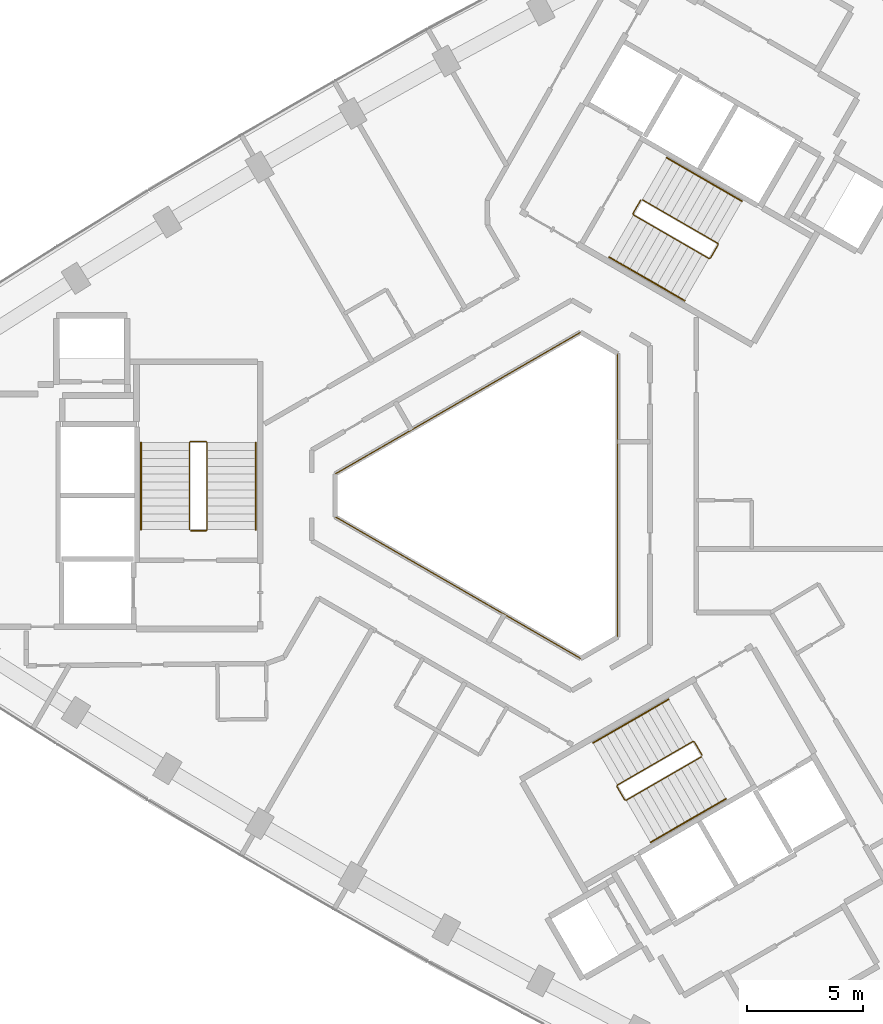
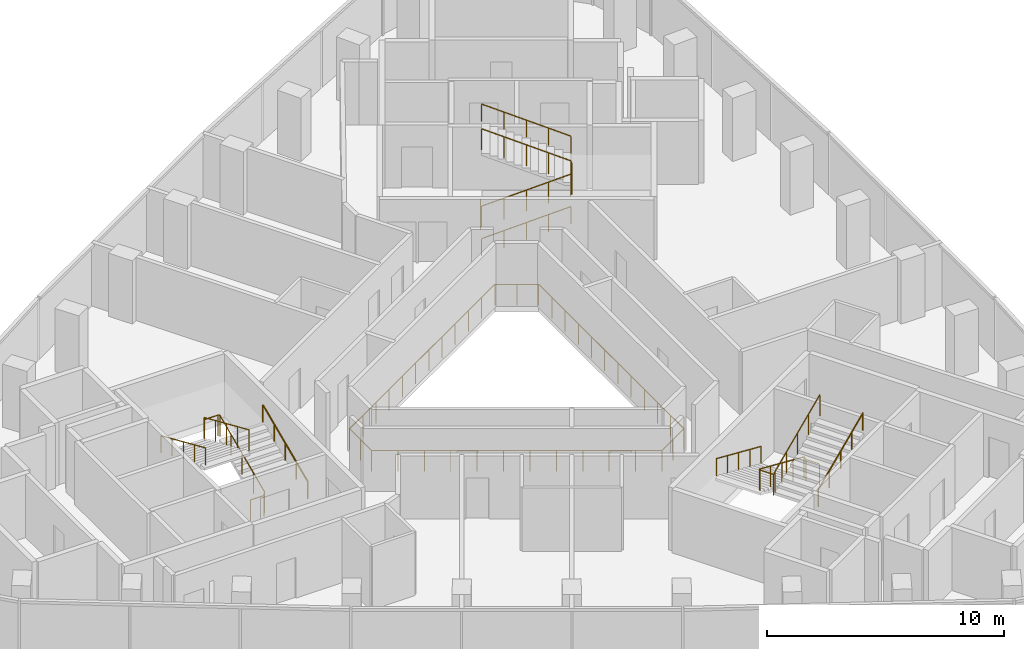
# One storey, part 12 of 12: 10 railings.
"""IFC4 building model written with IfcOpenShell, lengths in metres."""

import ifcopenshell
import ifcopenshell.guid

model = None  # the IFC model being written
_history = None  # IfcOwnerHistory: only IFC2X3 demands one
_inside = {}  # id of a spatial element -> (the spatial element, [elements in it])
_under = {}  # id of a project, library or spatial element -> (it, [spatial elements below it])
_declared = {}  # id of a project -> (the project, [libraries it declares])
_typed = {}  # id of a type object -> (the type object, [elements of that type])
_made_of = {}  # id of a material, layer set ... -> (it, [elements and type objects made of it])


def new_model(schema):
    """Start an empty IFC model of exactly this schema.

    Asked for "IFC4X3", IfcOpenShell would pick the latest addendum, in which some entities
    have other attributes; the version numbers below select the first issue.
    IFC2X3 requires an IfcOwnerHistory on every rooted entity: one is made here for all.
    """
    global model, _history
    if schema == "IFC4X3":
        model = ifcopenshell.file(schema_version=(4, 3, 0, 0))
    else:
        model = ifcopenshell.file(schema=schema)
    _inside.clear()
    _under.clear()
    _declared.clear()
    _typed.clear()
    _made_of.clear()
    _history = None
    if model.schema == "IFC2X3":
        org = make("IfcOrganization", Name="unknown")
        user = make(
            "IfcPersonAndOrganization",
            ThePerson=make("IfcPerson", FamilyName="unknown"),
            TheOrganization=org,
        )
        app = make(
            "IfcApplication",
            ApplicationDeveloper=org,
            Version="unknown",
            ApplicationFullName="unknown",
            ApplicationIdentifier="unknown",
        )
        _history = make(
            "IfcOwnerHistory",
            OwningUser=user,
            OwningApplication=app,
            ChangeAction="ADDED",
            CreationDate=0,
        )
    return model


def make(cls, **values):
    """One entity of the class cls with the attributes given. An attribute that is None is left unset."""
    return model.create_entity(
        cls, **{name: value for name, value in values.items() if value is not None}
    )


def rooted(cls, **values):
    """An entity with a GlobalId (a new one), such as an element, a storey or a relation."""
    return make(cls, GlobalId=ifcopenshell.guid.new(), OwnerHistory=_history, **values)


def si_unit(unit_type, name, prefix=None):
    """IfcSIUnit, for example si_unit("LENGTHUNIT", "METRE", prefix="MILLI")."""
    return make("IfcSIUnit", UnitType=unit_type, Prefix=prefix, Name=name)


def assignment(units):
    """IfcUnitAssignment: the units of a project."""
    return None if units is None else make("IfcUnitAssignment", Units=units)


def point(xyz):
    """IfcCartesianPoint."""
    return None if xyz is None else make("IfcCartesianPoint", Coordinates=xyz)


def direction(xyz):
    """IfcDirection."""
    return None if xyz is None else make("IfcDirection", DirectionRatios=xyz)


def frame(location, z_axis=None, x_axis=None):
    """IfcAxis2Placement3D, a coordinate frame: its origin and axes. An axis left out is left unset."""
    return make(
        "IfcAxis2Placement3D",
        Location=point(location),
        Axis=direction(z_axis),
        RefDirection=direction(x_axis),
    )


def frame_2d(location, x_axis=None):
    """IfcAxis2Placement2D, a coordinate frame in the plane: its origin and x axis."""
    return make(
        "IfcAxis2Placement2D", Location=point(location), RefDirection=direction(x_axis)
    )


def origin():
    """The frame at (0, 0, 0) with its axes left unset."""
    return frame((0.0, 0.0, 0.0))


def origin_2d():
    """The frame at (0, 0) in the plane with its x axis left unset."""
    return frame_2d((0.0, 0.0))


def place(relative_to, where):
    """IfcLocalPlacement: puts the frame where relative to a parent placement (None: the world)."""
    return make(
        "IfcLocalPlacement", PlacementRelTo=relative_to, RelativePlacement=where
    )


def context(
    kind, dimensions, precision=None, world=None, true_north=None, identifier=None
):
    """IfcGeometricRepresentationContext, for example the 3D "Model" context."""
    return make(
        "IfcGeometricRepresentationContext",
        ContextIdentifier=identifier,
        ContextType=kind,
        CoordinateSpaceDimension=dimensions,
        Precision=precision,
        WorldCoordinateSystem=world,
        TrueNorth=true_north,
    )


def subcontext(parent, identifier, kind, view, scale=None):
    """IfcGeometricRepresentationSubContext, for example "Body" below "Model"."""
    return make(
        "IfcGeometricRepresentationSubContext",
        ContextIdentifier=identifier,
        ContextType=kind,
        ParentContext=parent,
        TargetScale=scale,
        TargetView=view,
    )


def project(units=None, contexts=None):
    """IfcProject with its units and contexts."""
    return rooted(
        "IfcProject",
        Name="project",
        RepresentationContexts=contexts,
        UnitsInContext=assignment(units),
    )


def spatial(cls, under=None, at=None, **own):
    """A site, building, storey or space (cls), placed at a placement, below another one or the project."""
    s = rooted(cls, ObjectPlacement=at, **own)
    if under is not None:
        _under.setdefault(under.id(), (under, []))[1].append(s)
    return s


def profile(cls, at=None, kind="AREA", **sizes):
    """A parametric profile (cls). Its sizes go by their IFC names, for example OverallWidth=200.0."""
    return make(cls, ProfileType=kind, Position=at, **sizes)


def circle(**sizes):
    """IfcCircleProfileDef."""
    return profile("IfcCircleProfileDef", **sizes)


def extrude(swept, where, along, depth):
    """IfcExtrudedAreaSolid: the profile swept, set in the frame where, extruded along a direction by depth."""
    return make(
        "IfcExtrudedAreaSolid",
        SweptArea=swept,
        Position=where,
        ExtrudedDirection=direction(along),
        Depth=depth,
    )


def shape(context_of_items, identifier, shape_type, items):
    """IfcShapeRepresentation: the items that make up one representation, for example the "Body"."""
    return make(
        "IfcShapeRepresentation",
        ContextOfItems=context_of_items,
        RepresentationIdentifier=identifier,
        RepresentationType=shape_type,
        Items=items,
    )


def material(Name=None, Category=None):
    """IfcMaterial."""
    return make("IfcMaterial", Name=Name, Category=Category)


def made_of(thing, what):
    """Note that an element or type object is made of a material, layer set ...; save() writes the relation."""
    if what is not None:
        _made_of.setdefault(what.id(), (what, []))[1].append(thing)
    return thing


def type_object(cls, material=None, **own):
    """A type object (cls), such as IfcWallType, which elements share."""
    return made_of(rooted(cls, **own), material)


def element(
    cls,
    number,
    at=None,
    inside=None,
    cuts=None,
    type_object=None,
    material=None,
    context=None,
    identifier="Body",
    shape_type=None,
    held_by="IfcProductDefinitionShape",
    body=None,
    shapes=None,
    **own,
):
    """One element of the class cls, such as IfcWall. Its Tag is "e" and its number.

    at: its placement. inside: the storey or other place that contains it. cuts: it is an
    opening in that element (IfcRelVoidsElement). A single representation is given by context,
    identifier, shape_type and body (its items); several are given by shapes. held_by: the class
    of the entity that holds the representations. save() writes the other relations.
    """
    e = rooted(cls, Tag="e%d" % number, ObjectPlacement=at, **own)
    if body is not None:
        shapes = [shape(context, identifier, shape_type, body)]
    if shapes is not None:
        e.Representation = make(held_by, Representations=shapes)
    if inside is not None:
        _inside.setdefault(inside.id(), (inside, []))[1].append(e)
    if cuts is not None:
        rooted(
            "IfcRelVoidsElement", RelatingBuildingElement=cuts, RelatedOpeningElement=e
        )
    if type_object is not None:
        _typed.setdefault(type_object.id(), (type_object, []))[1].append(e)
    return made_of(e, material)


def aggregate(whole, parts):
    """IfcRelAggregates: a whole, such as a stair, and the parts it consists of."""
    return rooted("IfcRelAggregates", RelatingObject=whole, RelatedObjects=parts)


def save(model, path):
    """Write the relations noted so far, then the file.

    IfcRelAggregates (storeys below a building ...), IfcRelContainedInSpatialStructure (elements
    in a storey), IfcRelDefinesByType, IfcRelAssociatesMaterial and IfcRelDeclares: one each for
    every whole, place, type object, material and project.
    """
    for whole, parts in _under.values():
        aggregate(whole, parts)
    for where, things in _inside.values():
        rooted(
            "IfcRelContainedInSpatialStructure",
            RelatedElements=things,
            RelatingStructure=where,
        )
    for kind, things in _typed.values():
        rooted("IfcRelDefinesByType", RelatedObjects=things, RelatingType=kind)
    for what, things in _made_of.values():
        rooted("IfcRelAssociatesMaterial", RelatedObjects=things, RelatingMaterial=what)
    for by, libraries in _declared.values():
        rooted("IfcRelDeclares", RelatingContext=by, RelatedDefinitions=libraries)
    model.write(path)


model = new_model("IFC4")

# Units and contexts
model_context = context("Model", 3, precision=1e-05, world=origin(), true_north=direction((0.0, 1.0)))
body_context = subcontext(model_context, "Body", "Model", "MODEL_VIEW")
ifc_project = project(units=[si_unit("LENGTHUNIT", "METRE"), si_unit("AREAUNIT", "SQUARE_METRE"), si_unit("VOLUMEUNIT", "CUBIC_METRE"), si_unit("PLANEANGLEUNIT", "RADIAN"), si_unit("MASSUNIT", "GRAM", prefix="KILO")], contexts=[model_context])

# Site, building, storey
site_placement = place(None, origin())
site = spatial("IfcSite", under=ifc_project, at=site_placement, CompositionType="ELEMENT")
building_placement = place(site_placement, origin())
building = spatial("IfcBuilding", under=site, at=building_placement, Name="Tamra Quay Hotel Tower", CompositionType="ELEMENT")
storey_placement = place(building_placement, frame((0.0, 0.0, 179.199951171875)))
storey = spatial("IfcBuildingStorey", under=building, at=storey_placement, Name="L44", CompositionType="ELEMENT", Elevation=179.199951171875)

# Railings
ifc_material_1 = material(Name="Guard atrium edge 1100")
railing_type_1 = type_object("IfcRailingType", Name="Guard atrium edge 1100", PredefinedType="GUARDRAIL", material=ifc_material_1)
railing_1_placement = place(storey_placement, frame((4.60009765625, -6.1201171875, 0.0)))
element("IfcRailing", 1, at=railing_1_placement, inside=storey, type_object=railing_type_1, Name="G-A", PredefinedType="GUARDRAIL", context=body_context, shape_type="SweptSolid", body=[
    extrude(circle(Radius=0.02392578125, at=origin_2d()), frame((0.0, 0.0, 1.076171875), z_axis=(-0.86602275259, -0.500004591975, 0.0), x_axis=(0.500004591975, -0.86602275259, 0.0)), (0.0, 0.0, 1.0), 1.84765625),
    extrude(circle(Radius=0.02392578125, at=origin_2d()), frame((-1.60009765625, -0.923828125, 1.076171875), z_axis=(-0.866028806638, 0.499994106039, 0.0), x_axis=(-0.499994106039, -0.866028806638, 0.0)), (0.0, 0.0, 1.0), 12.239990234375),
    extrude(circle(Radius=0.02392578125, at=origin_2d()), frame((-12.2001953125, 5.196044921875, 1.076171875), z_axis=(0.0, 1.0, 0.0), x_axis=(-1.0, 0.0, 0.0)), (0.0, 0.0, 1.0), 1.84814453125),
    extrude(circle(Radius=0.02392578125, at=origin_2d()), frame((-12.2001953125, 7.044189453125, 1.076171875), z_axis=(0.866028806638, 0.499994106039, 0.0), x_axis=(-0.499994106039, 0.866028806638, 0.0)), (0.0, 0.0, 1.0), 12.239990234375),
    extrude(circle(Radius=0.02392578125, at=origin_2d()), frame((-1.60009765625, 13.1640625, 1.076171875), z_axis=(0.86602275259, -0.500004591975, 0.0), x_axis=(0.500004591975, 0.86602275259, 0.0)), (0.0, 0.0, 1.0), 1.84765625),
    extrude(circle(Radius=0.02392578125, at=origin_2d()), frame((0.0, 12.240234375, 1.076171875), z_axis=(0.0, -1.0, 0.0), x_axis=(1.0, 0.0, 0.0)), (0.0, 0.0, 1.0), 12.240234375),
    extrude(circle(Radius=0.02099609375, at=origin_2d()), origin(), (0.0, 0.0, 1.0), 1.052001953125),
    extrude(circle(Radius=0.02099609375, at=origin_2d()), frame((-0.800048828125, -0.4619140625, 0.0)), (0.0, 0.0, 1.0), 1.052001953125),
    extrude(circle(Radius=0.02099609375, at=origin_2d()), frame((-1.60009765625, -0.923828125, 0.0)), (0.0, 0.0, 1.0), 1.052001953125),
    extrude(circle(Radius=0.02099609375, at=origin_2d()), frame((-2.563720703125, -0.367431640625, 0.0)), (0.0, 0.0, 1.0), 1.052001953125),
    extrude(circle(Radius=0.02099609375, at=origin_2d()), frame((-3.52734375, 0.18896484375, 0.0)), (0.0, 0.0, 1.0), 1.052001953125),
    extrude(circle(Radius=0.02099609375, at=origin_2d()), frame((-4.490966796875, 0.7451171875, 0.0)), (0.0, 0.0, 1.0), 1.052001953125),
    extrude(circle(Radius=0.02099609375, at=origin_2d()), frame((-5.45458984375, 1.301513671875, 0.0)), (0.0, 0.0, 1.0), 1.052001953125),
    extrude(circle(Radius=0.02099609375, at=origin_2d()), frame((-6.418212890625, 1.85791015625, 0.0)), (0.0, 0.0, 1.0), 1.052001953125),
    extrude(circle(Radius=0.02099609375, at=origin_2d()), frame((-7.382080078125, 2.414306640625, 0.0)), (0.0, 0.0, 1.0), 1.052001953125),
    extrude(circle(Radius=0.02099609375, at=origin_2d()), frame((-8.345703125, 2.970703125, 0.0)), (0.0, 0.0, 1.0), 1.052001953125),
    extrude(circle(Radius=0.02099609375, at=origin_2d()), frame((-9.309326171875, 3.527099609375, 0.0)), (0.0, 0.0, 1.0), 1.052001953125),
    extrude(circle(Radius=0.02099609375, at=origin_2d()), frame((-10.27294921875, 4.083251953125, 0.0)), (0.0, 0.0, 1.0), 1.052001953125),
    extrude(circle(Radius=0.02099609375, at=origin_2d()), frame((-11.236572265625, 4.6396484375, 0.0)), (0.0, 0.0, 1.0), 1.052001953125),
    extrude(circle(Radius=0.02099609375, at=origin_2d()), frame((-12.2001953125, 5.196044921875, 0.0)), (0.0, 0.0, 1.0), 1.052001953125),
    extrude(circle(Radius=0.02099609375, at=origin_2d()), frame((-12.2001953125, 6.1201171875, 0.0)), (0.0, 0.0, 1.0), 1.052001953125),
    extrude(circle(Radius=0.02099609375, at=origin_2d()), frame((-12.2001953125, 7.044189453125, 0.0)), (0.0, 0.0, 1.0), 1.052001953125),
    extrude(circle(Radius=0.02099609375, at=origin_2d()), frame((-11.236572265625, 7.6005859375, 0.0)), (0.0, 0.0, 1.0), 1.052001953125),
    extrude(circle(Radius=0.02099609375, at=origin_2d()), frame((-10.27294921875, 8.156982421875, 0.0)), (0.0, 0.0, 1.0), 1.052001953125),
    extrude(circle(Radius=0.02099609375, at=origin_2d()), frame((-9.309326171875, 8.713134765625, 0.0)), (0.0, 0.0, 1.0), 1.052001953125),
    extrude(circle(Radius=0.02099609375, at=origin_2d()), frame((-8.345703125, 9.26953125, 0.0)), (0.0, 0.0, 1.0), 1.052001953125),
    extrude(circle(Radius=0.02099609375, at=origin_2d()), frame((-7.382080078125, 9.825927734375, 0.0)), (0.0, 0.0, 1.0), 1.052001953125),
    extrude(circle(Radius=0.02099609375, at=origin_2d()), frame((-6.418212890625, 10.38232421875, 0.0)), (0.0, 0.0, 1.0), 1.052001953125),
    extrude(circle(Radius=0.02099609375, at=origin_2d()), frame((-5.45458984375, 10.938720703125, 0.0)), (0.0, 0.0, 1.0), 1.052001953125),
    extrude(circle(Radius=0.02099609375, at=origin_2d()), frame((-4.490966796875, 11.4951171875, 0.0)), (0.0, 0.0, 1.0), 1.052001953125),
    extrude(circle(Radius=0.02099609375, at=origin_2d()), frame((-3.52734375, 12.05126953125, 0.0)), (0.0, 0.0, 1.0), 1.052001953125),
    extrude(circle(Radius=0.02099609375, at=origin_2d()), frame((-2.563720703125, 12.607666015625, 0.0)), (0.0, 0.0, 1.0), 1.052001953125),
    extrude(circle(Radius=0.02099609375, at=origin_2d()), frame((-1.60009765625, 13.1640625, 0.0)), (0.0, 0.0, 1.0), 1.052001953125),
    extrude(circle(Radius=0.02099609375, at=origin_2d()), frame((-0.800048828125, 12.7021484375, 0.0)), (0.0, 0.0, 1.0), 1.052001953125),
    extrude(circle(Radius=0.02099609375, at=origin_2d()), frame((0.0, 12.240234375, 0.0)), (0.0, 0.0, 1.0), 1.052001953125),
    extrude(circle(Radius=0.02099609375, at=origin_2d()), frame((0.0, 11.12744140625, 0.0)), (0.0, 0.0, 1.0), 1.052001953125),
    extrude(circle(Radius=0.02099609375, at=origin_2d()), frame((0.0, 10.0146484375, 0.0)), (0.0, 0.0, 1.0), 1.052001953125),
    extrude(circle(Radius=0.02099609375, at=origin_2d()), frame((0.0, 8.902099609375, 0.0)), (0.0, 0.0, 1.0), 1.052001953125),
    extrude(circle(Radius=0.02099609375, at=origin_2d()), frame((0.0, 7.789306640625, 0.0)), (0.0, 0.0, 1.0), 1.052001953125),
    extrude(circle(Radius=0.02099609375, at=origin_2d()), frame((0.0, 6.676513671875, 0.0)), (0.0, 0.0, 1.0), 1.052001953125),
    extrude(circle(Radius=0.02099609375, at=origin_2d()), frame((0.0, 5.563720703125, 0.0)), (0.0, 0.0, 1.0), 1.052001953125),
    extrude(circle(Radius=0.02099609375, at=origin_2d()), frame((0.0, 4.450927734375, 0.0)), (0.0, 0.0, 1.0), 1.052001953125),
    extrude(circle(Radius=0.02099609375, at=origin_2d()), frame((0.0, 3.338134765625, 0.0)), (0.0, 0.0, 1.0), 1.052001953125),
    extrude(circle(Radius=0.02099609375, at=origin_2d()), frame((0.0, 2.2255859375, 0.0)), (0.0, 0.0, 1.0), 1.052001953125),
    extrude(circle(Radius=0.02099609375, at=origin_2d()), frame((0.0, 1.11279296875, 0.0)), (0.0, 0.0, 1.0), 1.052001953125),
])
ifc_material_2 = material(Name="Stair guard 1100")
railing_type_2 = type_object("IfcRailingType", Name="Stair guard 1100", PredefinedType="GUARDRAIL", material=ifc_material_2)
railing_2_placement = place(storey_placement, frame((-13.84130859375, -1.530029296875, 0.0)))
element("IfcRailing", 2, at=railing_2_placement, inside=storey, type_object=railing_type_2, Name="GR", PredefinedType="GUARDRAIL", context=body_context, shape_type="SweptSolid", body=[
    extrude(circle(Radius=0.02392578125, at=origin_2d()), frame((0.0, 0.0, 1.076171875), z_axis=(1.0, 0.0, 0.0), x_axis=(0.0, 1.0, 0.0)), (0.0, 0.0, 1.0), 0.658935546875),
    extrude(circle(Radius=0.02392578125, at=origin_2d()), frame((0.658935546875, 0.0, 1.076171875), z_axis=(0.301511344578, 0.301511344578, 0.904534033733), x_axis=(-0.707106781187, 0.707106781187, 0.0)), (0.0, 0.0, 1.0), 0.166015625),
    extrude(circle(Radius=0.02392578125, at=origin_2d()), frame((0.708984375, 0.050048828125, 1.22607421875), z_axis=(0.0, 0.915795495799, 0.401644880304), x_axis=(-1.0, 0.0, 0.0)), (0.0, 0.0, 1.0), 4.10791015625),
    extrude(circle(Radius=0.02392578125, at=origin_2d()), frame((0.708984375, 3.81201171875, 2.8759765625), z_axis=(-0.708833529934, 0.705375805398, 0.0), x_axis=(-0.705375805398, -0.708833529934, 0.0)), (0.0, 0.0, 1.0), 0.070556640625),
    extrude(circle(Radius=0.02392578125, at=origin_2d()), frame((0.658935546875, 3.86181640625, 2.8759765625), z_axis=(-1.0, 0.0, 0.0), x_axis=(0.0, -1.0, 0.0)), (0.0, 0.0, 1.0), 0.658935546875),
    extrude(circle(Radius=0.02392578125, at=origin_2d()), frame((0.0, 3.86181640625, 2.8759765625), z_axis=(-0.302046947789, -0.300573548044, 0.904667443621), x_axis=(0.705375805398, -0.708833529934, 0.0)), (0.0, 0.0, 1.0), 0.165771484375),
    extrude(circle(Radius=0.02392578125, at=origin_2d()), frame((-0.050048828125, 3.81201171875, 3.02587890625), z_axis=(0.0, -0.915773634228, 0.401694723457), x_axis=(1.0, 0.0, 0.0)), (0.0, 0.0, 1.0), 4.10791015625),
    extrude(circle(Radius=0.02099609375, at=origin_2d()), origin(), (0.0, 0.0, 1.0), 1.052001953125),
    extrude(circle(Radius=0.02099609375, at=origin_2d()), frame((0.658935546875, 0.0, 0.0)), (0.0, 0.0, 1.0), 1.052001953125),
    extrude(circle(Radius=0.02099609375, at=origin_2d()), frame((0.708984375, 0.050048828125, 0.150146484375)), (0.0, 0.0, 1.0), 1.052001953125),
    extrude(circle(Radius=0.02099609375, at=origin_2d()), frame((0.708984375, 0.990478515625, 0.5625)), (0.0, 0.0, 1.0), 1.052001953125),
    extrude(circle(Radius=0.02099609375, at=origin_2d()), frame((0.708984375, 1.93115234375, 0.97509765625)), (0.0, 0.0, 1.0), 1.052001953125),
    extrude(circle(Radius=0.02099609375, at=origin_2d()), frame((0.708984375, 2.87158203125, 1.3876953125)), (0.0, 0.0, 1.0), 1.052001953125),
    extrude(circle(Radius=0.02099609375, at=origin_2d()), frame((0.708984375, 3.81201171875, 1.800048828125)), (0.0, 0.0, 1.0), 1.052001953125),
    extrude(circle(Radius=0.02099609375, at=origin_2d()), frame((0.658935546875, 3.86181640625, 1.800048828125)), (0.0, 0.0, 1.0), 1.052001953125),
    extrude(circle(Radius=0.02099609375, at=origin_2d()), frame((0.0, 3.86181640625, 1.800048828125)), (0.0, 0.0, 1.0), 1.052001953125),
    extrude(circle(Radius=0.02099609375, at=origin_2d()), frame((-0.050048828125, 3.81201171875, 1.949951171875)), (0.0, 0.0, 1.0), 1.052001953125),
    extrude(circle(Radius=0.02099609375, at=origin_2d()), frame((-0.050048828125, 2.87158203125, 2.362548828125)), (0.0, 0.0, 1.0), 1.052001953125),
    extrude(circle(Radius=0.02099609375, at=origin_2d()), frame((-0.050048828125, 1.93115234375, 2.77490234375)), (0.0, 0.0, 1.0), 1.052001953125),
    extrude(circle(Radius=0.02099609375, at=origin_2d()), frame((-0.050048828125, 0.990478515625, 3.1875)), (0.0, 0.0, 1.0), 1.052001953125),
    extrude(circle(Radius=0.02099609375, at=origin_2d()), frame((-0.050048828125, 0.050048828125, 3.60009765625)), (0.0, 0.0, 1.0), 1.052001953125),
])
railing_3_placement = place(storey_placement, frame((5.595458984375, 12.751953125, 0.0)))
element("IfcRailing", 3, at=railing_3_placement, inside=storey, type_object=railing_type_2, Name="GR", PredefinedType="GUARDRAIL", context=body_context, shape_type="SweptSolid", body=[
    extrude(circle(Radius=0.02392578125, at=origin_2d()), frame((0.0, 0.0, 1.076171875), z_axis=(-0.499765215335, -0.866160914346, 0.0), x_axis=(0.866160914346, -0.499765215335, 0.0)), (0.0, 0.0, 1.0), 0.658935546875),
    extrude(circle(Radius=0.02392578125, at=origin_2d()), frame((-0.329345703125, -0.57080078125, 1.076171875), z_axis=(0.110378772244, -0.410609032747, 0.905105932399), x_axis=(0.965715946433, 0.259601060869, 0.0)), (0.0, 0.0, 1.0), 0.165771484375),
    extrude(circle(Radius=0.02392578125, at=origin_2d()), frame((-0.31103515625, -0.638916015625, 1.22607421875), z_axis=(0.793078462799, -0.457933869594, 0.401650498471), x_axis=(0.500040788363, 0.866001853331, 0.0)), (0.0, 0.0, 1.0), 4.10791015625),
    extrude(circle(Radius=0.02392578125, at=origin_2d()), frame((2.94677734375, -2.52001953125, 2.8759765625), z_axis=(0.965948051503, 0.258736085224, 0.0), x_axis=(-0.258736085224, 0.965948051503, 0.0)), (0.0, 0.0, 1.0), 0.07080078125),
    extrude(circle(Radius=0.02392578125, at=origin_2d()), frame((3.01513671875, -2.501708984375, 2.8759765625), z_axis=(0.500043078269, 0.866000531106, 0.0), x_axis=(-0.866000531106, 0.500043078269, 0.0)), (0.0, 0.0, 1.0), 0.6591796875),
    extrude(circle(Radius=0.02392578125, at=origin_2d()), frame((3.3447265625, -1.930908203125, 2.8759765625), z_axis=(-0.110525977783, 0.411156637351, 0.904839338113), x_axis=(-0.965715946433, -0.259601060869, 0.0)), (0.0, 0.0, 1.0), 0.165771484375),
    extrude(circle(Radius=0.02392578125, at=origin_2d()), frame((3.326416015625, -1.86279296875, 3.02587890625), z_axis=(-0.793081581205, 0.457901355053, 0.401681409319), x_axis=(-0.500012686397, -0.866018079166, 0.0)), (0.0, 0.0, 1.0), 4.108154296875),
    extrude(circle(Radius=0.02099609375, at=origin_2d()), origin(), (0.0, 0.0, 1.0), 1.052001953125),
    extrude(circle(Radius=0.02099609375, at=origin_2d()), frame((-0.329345703125, -0.57080078125, 0.0)), (0.0, 0.0, 1.0), 1.052001953125),
    extrude(circle(Radius=0.02099609375, at=origin_2d()), frame((-0.31103515625, -0.638916015625, 0.150146484375)), (0.0, 0.0, 1.0), 1.052001953125),
    extrude(circle(Radius=0.02099609375, at=origin_2d()), frame((0.50341796875, -1.109130859375, 0.5625)), (0.0, 0.0, 1.0), 1.052001953125),
    extrude(circle(Radius=0.02099609375, at=origin_2d()), frame((1.31787109375, -1.57958984375, 0.97509765625)), (0.0, 0.0, 1.0), 1.052001953125),
    extrude(circle(Radius=0.02099609375, at=origin_2d()), frame((2.13232421875, -2.0498046875, 1.3876953125)), (0.0, 0.0, 1.0), 1.052001953125),
    extrude(circle(Radius=0.02099609375, at=origin_2d()), frame((2.94677734375, -2.52001953125, 1.800048828125)), (0.0, 0.0, 1.0), 1.052001953125),
    extrude(circle(Radius=0.02099609375, at=origin_2d()), frame((3.01513671875, -2.501708984375, 1.800048828125)), (0.0, 0.0, 1.0), 1.052001953125),
    extrude(circle(Radius=0.02099609375, at=origin_2d()), frame((3.3447265625, -1.930908203125, 1.800048828125)), (0.0, 0.0, 1.0), 1.052001953125),
    extrude(circle(Radius=0.02099609375, at=origin_2d()), frame((3.326416015625, -1.86279296875, 1.949951171875)), (0.0, 0.0, 1.0), 1.052001953125),
    extrude(circle(Radius=0.02099609375, at=origin_2d()), frame((2.511962890625, -1.392578125, 2.362548828125)), (0.0, 0.0, 1.0), 1.052001953125),
    extrude(circle(Radius=0.02099609375, at=origin_2d()), frame((1.697265625, -0.92236328125, 2.77490234375)), (0.0, 0.0, 1.0), 1.052001953125),
    extrude(circle(Radius=0.02099609375, at=origin_2d()), frame((0.8828125, -0.451904296875, 3.1875)), (0.0, 0.0, 1.0), 1.052001953125),
    extrude(circle(Radius=0.02099609375, at=origin_2d()), frame((0.068359375, 0.018310546875, 3.60009765625)), (0.0, 0.0, 1.0), 1.052001953125),
])
railing_4_placement = place(storey_placement, frame((8.245849609375, -11.221923828125, 0.0)))
element("IfcRailing", 4, at=railing_4_placement, inside=storey, type_object=railing_type_2, Name="GR", PredefinedType="GUARDRAIL", context=body_context, shape_type="SweptSolid", body=[
    extrude(circle(Radius=0.02392578125, at=origin_2d()), frame((0.0, 0.0, 1.076171875), z_axis=(-0.500043078269, 0.866000531106, 0.0), x_axis=(-0.866000531106, -0.500043078269, 0.0)), (0.0, 0.0, 1.0), 0.6591796875),
    extrude(circle(Radius=0.02392578125, at=origin_2d()), frame((-0.32958984375, 0.57080078125, 1.076171875), z_axis=(-0.411831509231, 0.110312011401, 0.90455849349), x_axis=(-0.258736085224, -0.965948051503, 0.0)), (0.0, 0.0, 1.0), 0.166015625),
    extrude(circle(Radius=0.02392578125, at=origin_2d()), frame((-0.39794921875, 0.589111328125, 1.22607421875), z_axis=(-0.793100512587, -0.457912285461, 0.401631567183), x_axis=(0.500012686397, -0.866018079166, 0.0)), (0.0, 0.0, 1.0), 4.10791015625),
    extrude(circle(Radius=0.02392578125, at=origin_2d()), frame((-3.656005859375, -1.2919921875, 2.8759765625), z_axis=(-0.256368644879, -0.966579080015, 0.0), x_axis=(0.966579080015, -0.256368644879, 0.0)), (0.0, 0.0, 1.0), 0.070556640625),
    extrude(circle(Radius=0.02392578125, at=origin_2d()), frame((-3.674072265625, -1.360107421875, 2.8759765625), z_axis=(0.499765215335, -0.866160914346, 0.0), x_axis=(0.866160914346, 0.499765215335, 0.0)), (0.0, 0.0, 1.0), 0.658935546875),
    extrude(circle(Radius=0.02392578125, at=origin_2d()), frame((-3.3447265625, -1.930908203125, 2.8759765625), z_axis=(0.41238007866, -0.110458949641, 0.904290601062), x_axis=(0.258736085224, 0.965948051503, 0.0)), (0.0, 0.0, 1.0), 0.165771484375),
    extrude(circle(Radius=0.02392578125, at=origin_2d()), frame((-3.2763671875, -1.94921875, 3.02587890625), z_axis=(0.793081581205, 0.457901355053, 0.401681409319), x_axis=(-0.500012686397, 0.866018079166, 0.0)), (0.0, 0.0, 1.0), 4.108154296875),
    extrude(circle(Radius=0.02099609375, at=origin_2d()), origin(), (0.0, 0.0, 1.0), 1.052001953125),
    extrude(circle(Radius=0.02099609375, at=origin_2d()), frame((-0.32958984375, 0.57080078125, 0.0)), (0.0, 0.0, 1.0), 1.052001953125),
    extrude(circle(Radius=0.02099609375, at=origin_2d()), frame((-0.39794921875, 0.589111328125, 0.150146484375)), (0.0, 0.0, 1.0), 1.052001953125),
    extrude(circle(Radius=0.02099609375, at=origin_2d()), frame((-1.21240234375, 0.118896484375, 0.5625)), (0.0, 0.0, 1.0), 1.052001953125),
    extrude(circle(Radius=0.02099609375, at=origin_2d()), frame((-2.02685546875, -0.3515625, 0.97509765625)), (0.0, 0.0, 1.0), 1.052001953125),
    extrude(circle(Radius=0.02099609375, at=origin_2d()), frame((-2.841552734375, -0.82177734375, 1.3876953125)), (0.0, 0.0, 1.0), 1.052001953125),
    extrude(circle(Radius=0.02099609375, at=origin_2d()), frame((-3.656005859375, -1.2919921875, 1.800048828125)), (0.0, 0.0, 1.0), 1.052001953125),
    extrude(circle(Radius=0.02099609375, at=origin_2d()), frame((-3.674072265625, -1.360107421875, 1.800048828125)), (0.0, 0.0, 1.0), 1.052001953125),
    extrude(circle(Radius=0.02099609375, at=origin_2d()), frame((-3.3447265625, -1.930908203125, 1.800048828125)), (0.0, 0.0, 1.0), 1.052001953125),
    extrude(circle(Radius=0.02099609375, at=origin_2d()), frame((-3.2763671875, -1.94921875, 1.949951171875)), (0.0, 0.0, 1.0), 1.052001953125),
    extrude(circle(Radius=0.02099609375, at=origin_2d()), frame((-2.4619140625, -1.47900390625, 2.362548828125)), (0.0, 0.0, 1.0), 1.052001953125),
    extrude(circle(Radius=0.02099609375, at=origin_2d()), frame((-1.6474609375, -1.0087890625, 2.77490234375)), (0.0, 0.0, 1.0), 1.052001953125),
    extrude(circle(Radius=0.02099609375, at=origin_2d()), frame((-0.832763671875, -0.538330078125, 3.1875)), (0.0, 0.0, 1.0), 1.052001953125),
    extrude(circle(Radius=0.02099609375, at=origin_2d()), frame((-0.018310546875, -0.068115234375, 3.60009765625)), (0.0, 0.0, 1.0), 1.052001953125),
])
ifc_material_3 = material(Name="Stair handrail 900")
railing_type_3 = type_object("IfcRailingType", Name="Stair handrail 900", PredefinedType="HANDRAIL", material=ifc_material_3)
railing_5_placement = place(storey_placement, frame((-11.0322265625, -1.47998046875, 0.150146484375)))
element("IfcRailing", 5, at=railing_5_placement, inside=storey, type_object=railing_type_3, Name="HR", PredefinedType="HANDRAIL", context=body_context, shape_type="SweptSolid", body=[
    extrude(circle(Radius=0.02392578125, at=origin_2d()), frame((0.0, 0.0, 0.8759765625), z_axis=(0.0, 0.915795495799, 0.401644880304), x_axis=(-1.0, 0.0, 0.0)), (0.0, 0.0, 1.0), 4.10791015625),
    extrude(circle(Radius=0.02099609375, at=origin_2d()), origin(), (0.0, 0.0, 1.0), 0.851806640625),
    extrude(circle(Radius=0.02099609375, at=origin_2d()), frame((0.0, 0.9404296875, 0.41259765625)), (0.0, 0.0, 1.0), 0.851806640625),
    extrude(circle(Radius=0.02099609375, at=origin_2d()), frame((0.0, 1.880859375, 0.824951171875)), (0.0, 0.0, 1.0), 0.851806640625),
    extrude(circle(Radius=0.02099609375, at=origin_2d()), frame((0.0, 2.821533203125, 1.2373046875)), (0.0, 0.0, 1.0), 0.851806640625),
    extrude(circle(Radius=0.02099609375, at=origin_2d()), frame((0.0, 3.761962890625, 1.64990234375)), (0.0, 0.0, 1.0), 0.851806640625),
])
railing_6_placement = place(storey_placement, frame((-15.9912109375, 2.281982421875, 1.949951171875)))
element("IfcRailing", 6, at=railing_6_placement, inside=storey, type_object=railing_type_3, Name="HR", PredefinedType="HANDRAIL", context=body_context, shape_type="SweptSolid", body=[
    extrude(circle(Radius=0.02392578125, at=origin_2d()), frame((0.0, 0.0, 0.8759765625), z_axis=(0.0, -0.915773634228, 0.401694723457), x_axis=(1.0, 0.0, 0.0)), (0.0, 0.0, 1.0), 4.10791015625),
    extrude(circle(Radius=0.02099609375, at=origin_2d()), origin(), (0.0, 0.0, 1.0), 0.851806640625),
    extrude(circle(Radius=0.02099609375, at=origin_2d()), frame((0.0, -0.9404296875, 0.41259765625)), (0.0, 0.0, 1.0), 0.851806640625),
    extrude(circle(Radius=0.02099609375, at=origin_2d()), frame((0.0, -1.880859375, 0.8251953125)), (0.0, 0.0, 1.0), 0.851806640625),
    extrude(circle(Radius=0.02099609375, at=origin_2d()), frame((0.0, -2.821533203125, 1.237548828125)), (0.0, 0.0, 1.0), 0.851806640625),
    extrude(circle(Radius=0.02099609375, at=origin_2d()), frame((0.0, -3.761962890625, 1.650146484375)), (0.0, 0.0, 1.0), 0.851806640625),
])
railing_7_placement = place(storey_placement, frame((4.234375, 10.294189453125, 0.150146484375)))
element("IfcRailing", 7, at=railing_7_placement, inside=storey, type_object=railing_type_3, Name="HR", PredefinedType="HANDRAIL", context=body_context, shape_type="SweptSolid", body=[
    extrude(circle(Radius=0.02392578125, at=origin_2d()), frame((0.0, 0.0, 0.8759765625), z_axis=(0.793122095483, -0.45786531462, 0.401642496911), x_axis=(0.499964013922, 0.86604617936, 0.0)), (0.0, 0.0, 1.0), 4.10791015625),
    extrude(circle(Radius=0.02099609375, at=origin_2d()), origin(), (0.0, 0.0, 1.0), 0.851806640625),
    extrude(circle(Radius=0.02099609375, at=origin_2d()), frame((0.814453125, -0.47021484375, 0.41259765625)), (0.0, 0.0, 1.0), 0.851806640625),
    extrude(circle(Radius=0.02099609375, at=origin_2d()), frame((1.62890625, -0.9404296875, 0.824951171875)), (0.0, 0.0, 1.0), 0.851806640625),
    extrude(circle(Radius=0.02099609375, at=origin_2d()), frame((2.443603515625, -1.41064453125, 1.2373046875)), (0.0, 0.0, 1.0), 0.851806640625),
    extrude(circle(Radius=0.02099609375, at=origin_2d()), frame((3.258056640625, -1.880859375, 1.64990234375)), (0.0, 0.0, 1.0), 0.851806640625),
])
railing_8_placement = place(storey_placement, frame((9.971923828125, 12.7080078125, 1.949951171875)))
element("IfcRailing", 8, at=railing_8_placement, inside=storey, type_object=railing_type_3, Name="HR", PredefinedType="HANDRAIL", context=body_context, shape_type="SweptSolid", body=[
    extrude(circle(Radius=0.02392578125, at=origin_2d()), frame((0.0, 0.0, 0.8759765625), z_axis=(-0.793103162556, 0.457854384738, 0.401692339881), x_axis=(-0.499964013922, -0.86604617936, 0.0)), (0.0, 0.0, 1.0), 4.10791015625),
    extrude(circle(Radius=0.02099609375, at=origin_2d()), origin(), (0.0, 0.0, 1.0), 0.851806640625),
    extrude(circle(Radius=0.02099609375, at=origin_2d()), frame((-0.814453125, 0.47021484375, 0.41259765625)), (0.0, 0.0, 1.0), 0.851806640625),
    extrude(circle(Radius=0.02099609375, at=origin_2d()), frame((-1.62890625, 0.9404296875, 0.8251953125)), (0.0, 0.0, 1.0), 0.851806640625),
    extrude(circle(Radius=0.02099609375, at=origin_2d()), frame((-2.443603515625, 1.41064453125, 1.237548828125)), (0.0, 0.0, 1.0), 0.851806640625),
    extrude(circle(Radius=0.02099609375, at=origin_2d()), frame((-3.258056640625, 1.880859375, 1.650146484375)), (0.0, 0.0, 1.0), 0.851806640625),
])
railing_9_placement = place(storey_placement, frame((6.7978515625, -8.814208984375, 0.150146484375)))
element("IfcRailing", 9, at=railing_9_placement, inside=storey, type_object=railing_type_3, Name="HR", PredefinedType="HANDRAIL", context=body_context, shape_type="SweptSolid", body=[
    extrude(circle(Radius=0.02392578125, at=origin_2d()), frame((0.0, 0.0, 0.8759765625), z_axis=(-0.79310004713, -0.457886897714, 0.401661429744), x_axis=(0.499992114976, -0.866029956157, 0.0)), (0.0, 0.0, 1.0), 4.107666015625),
    extrude(circle(Radius=0.02099609375, at=origin_2d()), origin(), (0.0, 0.0, 1.0), 0.851806640625),
    extrude(circle(Radius=0.02099609375, at=origin_2d()), frame((-0.814453125, -0.47021484375, 0.41259765625)), (0.0, 0.0, 1.0), 0.851806640625),
    extrude(circle(Radius=0.02099609375, at=origin_2d()), frame((-1.62890625, -0.9404296875, 0.824951171875)), (0.0, 0.0, 1.0), 0.851806640625),
    extrude(circle(Radius=0.02099609375, at=origin_2d()), frame((-2.443359375, -1.41064453125, 1.2373046875)), (0.0, 0.0, 1.0), 0.851806640625),
    extrude(circle(Radius=0.02099609375, at=origin_2d()), frame((-3.2578125, -1.880859375, 1.64990234375)), (0.0, 0.0, 1.0), 0.851806640625),
])
railing_10_placement = place(storey_placement, frame((6.01953125, -14.98974609375, 1.949951171875)))
element("IfcRailing", 10, at=railing_10_placement, inside=storey, type_object=railing_type_3, Name="HR", PredefinedType="HANDRAIL", context=body_context, shape_type="SweptSolid", body=[
    extrude(circle(Radius=0.02392578125, at=origin_2d()), frame((0.0, 0.0, 0.8759765625), z_axis=(0.793081112945, 0.457875966286, 0.40171127416), x_axis=(-0.499992114976, 0.866029956157, 0.0)), (0.0, 0.0, 1.0), 4.10791015625),
    extrude(circle(Radius=0.02099609375, at=origin_2d()), origin(), (0.0, 0.0, 1.0), 0.851806640625),
    extrude(circle(Radius=0.02099609375, at=origin_2d()), frame((0.814453125, 0.47021484375, 0.41259765625)), (0.0, 0.0, 1.0), 0.851806640625),
    extrude(circle(Radius=0.02099609375, at=origin_2d()), frame((1.62890625, 0.9404296875, 0.8251953125)), (0.0, 0.0, 1.0), 0.851806640625),
    extrude(circle(Radius=0.02099609375, at=origin_2d()), frame((2.443359375, 1.41064453125, 1.237548828125)), (0.0, 0.0, 1.0), 0.851806640625),
    extrude(circle(Radius=0.02099609375, at=origin_2d()), frame((3.2578125, 1.880859375, 1.650146484375)), (0.0, 0.0, 1.0), 0.851806640625),
])

save(model, "model.ifc")
